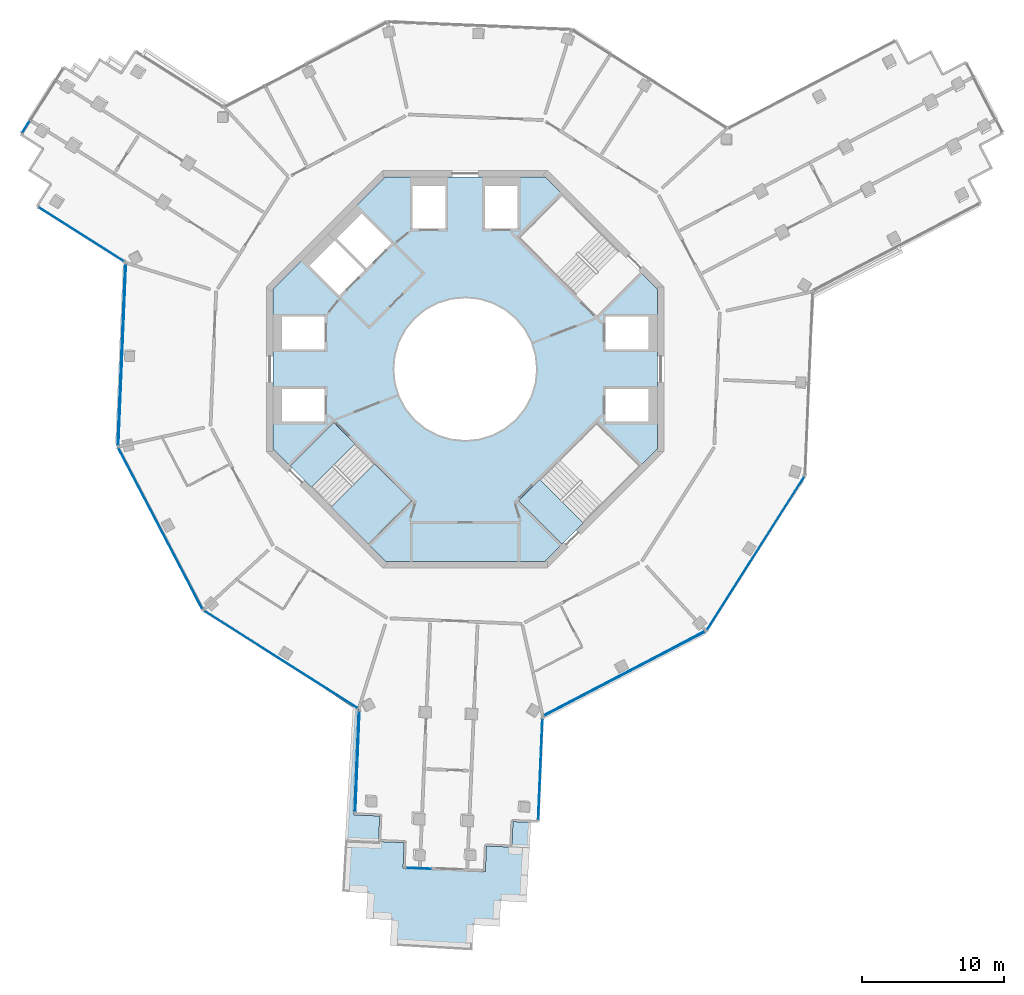
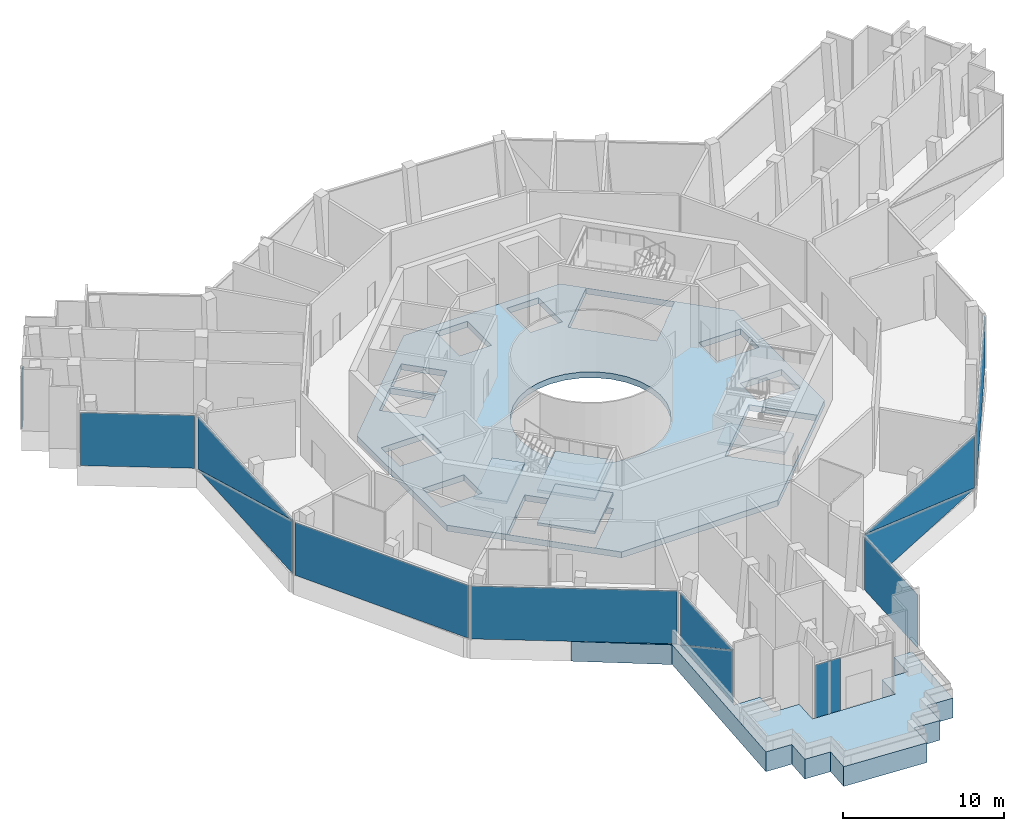
# One storey, part 7 of 21: 13 plates, 6 slabs, 12 elements without a shape of their own.
"""IFC4 building model written with IfcOpenShell, lengths in metres."""

import ifcopenshell
import ifcopenshell.guid

model = None  # the IFC model being written
_history = None  # IfcOwnerHistory: only IFC2X3 demands one
_inside = {}  # id of a spatial element -> (the spatial element, [elements in it])
_under = {}  # id of a project, library or spatial element -> (it, [spatial elements below it])
_declared = {}  # id of a project -> (the project, [libraries it declares])
_typed = {}  # id of a type object -> (the type object, [elements of that type])
_made_of = {}  # id of a material, layer set ... -> (it, [elements and type objects made of it])


def new_model(schema):
    """Start an empty IFC model of exactly this schema.

    Asked for "IFC4X3", IfcOpenShell would pick the latest addendum, in which some entities
    have other attributes; the version numbers below select the first issue.
    IFC2X3 requires an IfcOwnerHistory on every rooted entity: one is made here for all.
    """
    global model, _history
    if schema == "IFC4X3":
        model = ifcopenshell.file(schema_version=(4, 3, 0, 0))
    else:
        model = ifcopenshell.file(schema=schema)
    _inside.clear()
    _under.clear()
    _declared.clear()
    _typed.clear()
    _made_of.clear()
    _history = None
    if model.schema == "IFC2X3":
        org = make("IfcOrganization", Name="unknown")
        user = make(
            "IfcPersonAndOrganization",
            ThePerson=make("IfcPerson", FamilyName="unknown"),
            TheOrganization=org,
        )
        app = make(
            "IfcApplication",
            ApplicationDeveloper=org,
            Version="unknown",
            ApplicationFullName="unknown",
            ApplicationIdentifier="unknown",
        )
        _history = make(
            "IfcOwnerHistory",
            OwningUser=user,
            OwningApplication=app,
            ChangeAction="ADDED",
            CreationDate=0,
        )
    return model


def make(cls, **values):
    """One entity of the class cls with the attributes given. An attribute that is None is left unset."""
    return model.create_entity(
        cls, **{name: value for name, value in values.items() if value is not None}
    )


def rooted(cls, **values):
    """An entity with a GlobalId (a new one), such as an element, a storey or a relation."""
    return make(cls, GlobalId=ifcopenshell.guid.new(), OwnerHistory=_history, **values)


def si_unit(unit_type, name, prefix=None):
    """IfcSIUnit, for example si_unit("LENGTHUNIT", "METRE", prefix="MILLI")."""
    return make("IfcSIUnit", UnitType=unit_type, Prefix=prefix, Name=name)


def assignment(units):
    """IfcUnitAssignment: the units of a project."""
    return None if units is None else make("IfcUnitAssignment", Units=units)


def point(xyz):
    """IfcCartesianPoint."""
    return None if xyz is None else make("IfcCartesianPoint", Coordinates=xyz)


def direction(xyz):
    """IfcDirection."""
    return None if xyz is None else make("IfcDirection", DirectionRatios=xyz)


def frame(location, z_axis=None, x_axis=None):
    """IfcAxis2Placement3D, a coordinate frame: its origin and axes. An axis left out is left unset."""
    return make(
        "IfcAxis2Placement3D",
        Location=point(location),
        Axis=direction(z_axis),
        RefDirection=direction(x_axis),
    )


def frame_2d(location, x_axis=None):
    """IfcAxis2Placement2D, a coordinate frame in the plane: its origin and x axis."""
    return make(
        "IfcAxis2Placement2D", Location=point(location), RefDirection=direction(x_axis)
    )


def origin():
    """The frame at (0, 0, 0) with its axes left unset."""
    return frame((0.0, 0.0, 0.0))


def origin_2d():
    """The frame at (0, 0) in the plane with its x axis left unset."""
    return frame_2d((0.0, 0.0))


def place(relative_to, where):
    """IfcLocalPlacement: puts the frame where relative to a parent placement (None: the world)."""
    return make(
        "IfcLocalPlacement", PlacementRelTo=relative_to, RelativePlacement=where
    )


def context(
    kind, dimensions, precision=None, world=None, true_north=None, identifier=None
):
    """IfcGeometricRepresentationContext, for example the 3D "Model" context."""
    return make(
        "IfcGeometricRepresentationContext",
        ContextIdentifier=identifier,
        ContextType=kind,
        CoordinateSpaceDimension=dimensions,
        Precision=precision,
        WorldCoordinateSystem=world,
        TrueNorth=true_north,
    )


def subcontext(parent, identifier, kind, view, scale=None):
    """IfcGeometricRepresentationSubContext, for example "Body" below "Model"."""
    return make(
        "IfcGeometricRepresentationSubContext",
        ContextIdentifier=identifier,
        ContextType=kind,
        ParentContext=parent,
        TargetScale=scale,
        TargetView=view,
    )


def project(units=None, contexts=None):
    """IfcProject with its units and contexts."""
    return rooted(
        "IfcProject",
        Name="project",
        RepresentationContexts=contexts,
        UnitsInContext=assignment(units),
    )


def spatial(cls, under=None, at=None, **own):
    """A site, building, storey or space (cls), placed at a placement, below another one or the project."""
    s = rooted(cls, ObjectPlacement=at, **own)
    if under is not None:
        _under.setdefault(under.id(), (under, []))[1].append(s)
    return s


def polyline(points):
    """IfcPolyline through the points."""
    return make("IfcPolyline", Points=[point(p) for p in points])


def profile(cls, at=None, kind="AREA", **sizes):
    """A parametric profile (cls). Its sizes go by their IFC names, for example OverallWidth=200.0."""
    return make(cls, ProfileType=kind, Position=at, **sizes)


def rectangle(**sizes):
    """IfcRectangleProfileDef."""
    return profile("IfcRectangleProfileDef", **sizes)


def outline(outer, holes=None, kind="AREA"):
    """IfcArbitraryClosedProfileDef: a profile drawn as a closed curve; with holes, ...WithVoids."""
    if holes is None:
        return make("IfcArbitraryClosedProfileDef", ProfileType=kind, OuterCurve=outer)
    return make(
        "IfcArbitraryProfileDefWithVoids",
        ProfileType=kind,
        OuterCurve=outer,
        InnerCurves=holes,
    )


def extrude(swept, where, along, depth):
    """IfcExtrudedAreaSolid: the profile swept, set in the frame where, extruded along a direction by depth."""
    return make(
        "IfcExtrudedAreaSolid",
        SweptArea=swept,
        Position=where,
        ExtrudedDirection=direction(along),
        Depth=depth,
    )


def shape(context_of_items, identifier, shape_type, items):
    """IfcShapeRepresentation: the items that make up one representation, for example the "Body"."""
    return make(
        "IfcShapeRepresentation",
        ContextOfItems=context_of_items,
        RepresentationIdentifier=identifier,
        RepresentationType=shape_type,
        Items=items,
    )


def material(Name=None, Category=None):
    """IfcMaterial."""
    return make("IfcMaterial", Name=Name, Category=Category)


def layer(
    of_material, thickness, ventilated=None, Name=None, Category=None, Priority=None
):
    """IfcMaterialLayer: one layer of a wall or slab, of a material (None: an air gap)."""
    return make(
        "IfcMaterialLayer",
        Material=of_material,
        LayerThickness=thickness,
        IsVentilated=ventilated,
        Name=Name,
        Category=Category,
        Priority=Priority,
    )


def layer_set(layers, Name=None):
    """IfcMaterialLayerSet."""
    return make("IfcMaterialLayerSet", MaterialLayers=layers, LayerSetName=Name)


def made_of(thing, what):
    """Note that an element or type object is made of a material, layer set ...; save() writes the relation."""
    if what is not None:
        _made_of.setdefault(what.id(), (what, []))[1].append(thing)
    return thing


def type_object(cls, material=None, **own):
    """A type object (cls), such as IfcWallType, which elements share."""
    return made_of(rooted(cls, **own), material)


def element(
    cls,
    number,
    at=None,
    inside=None,
    cuts=None,
    type_object=None,
    material=None,
    context=None,
    identifier="Body",
    shape_type=None,
    held_by="IfcProductDefinitionShape",
    body=None,
    shapes=None,
    **own,
):
    """One element of the class cls, such as IfcWall. Its Tag is "e" and its number.

    at: its placement. inside: the storey or other place that contains it. cuts: it is an
    opening in that element (IfcRelVoidsElement). A single representation is given by context,
    identifier, shape_type and body (its items); several are given by shapes. held_by: the class
    of the entity that holds the representations. save() writes the other relations.
    """
    e = rooted(cls, Tag="e%d" % number, ObjectPlacement=at, **own)
    if body is not None:
        shapes = [shape(context, identifier, shape_type, body)]
    if shapes is not None:
        e.Representation = make(held_by, Representations=shapes)
    if inside is not None:
        _inside.setdefault(inside.id(), (inside, []))[1].append(e)
    if cuts is not None:
        rooted(
            "IfcRelVoidsElement", RelatingBuildingElement=cuts, RelatedOpeningElement=e
        )
    if type_object is not None:
        _typed.setdefault(type_object.id(), (type_object, []))[1].append(e)
    return made_of(e, material)


def aggregate(whole, parts):
    """IfcRelAggregates: a whole, such as a stair, and the parts it consists of."""
    return rooted("IfcRelAggregates", RelatingObject=whole, RelatedObjects=parts)


def save(model, path):
    """Write the relations noted so far, then the file.

    IfcRelAggregates (storeys below a building ...), IfcRelContainedInSpatialStructure (elements
    in a storey), IfcRelDefinesByType, IfcRelAssociatesMaterial and IfcRelDeclares: one each for
    every whole, place, type object, material and project.
    """
    for whole, parts in _under.values():
        aggregate(whole, parts)
    for where, things in _inside.values():
        rooted(
            "IfcRelContainedInSpatialStructure",
            RelatedElements=things,
            RelatingStructure=where,
        )
    for kind, things in _typed.values():
        rooted("IfcRelDefinesByType", RelatedObjects=things, RelatingType=kind)
    for what, things in _made_of.values():
        rooted("IfcRelAssociatesMaterial", RelatedObjects=things, RelatingMaterial=what)
    for by, libraries in _declared.values():
        rooted("IfcRelDeclares", RelatingContext=by, RelatedDefinitions=libraries)
    model.write(path)


model = new_model("IFC4")

# Units and contexts
model_context = context("Model", 3, precision=1e-05, world=origin(), true_north=direction((0.0, 1.0)))
body_context = subcontext(model_context, "Body", "Model", "MODEL_VIEW")
ifc_project = project(units=[si_unit("LENGTHUNIT", "METRE"), si_unit("AREAUNIT", "SQUARE_METRE"), si_unit("VOLUMEUNIT", "CUBIC_METRE"), si_unit("PLANEANGLEUNIT", "RADIAN"), si_unit("MASSUNIT", "GRAM", prefix="KILO")], contexts=[model_context])

# Site, building, storey
site_placement = place(None, origin())
site = spatial("IfcSite", under=ifc_project, at=site_placement, CompositionType="ELEMENT")
building_placement = place(site_placement, origin())
building = spatial("IfcBuilding", under=site, at=building_placement, Name="Verdalira Terraces Hotel", CompositionType="ELEMENT")
storey_placement = place(building_placement, frame((0.0, 0.0, 269.0)))
storey = spatial("IfcBuildingStorey", under=building, at=storey_placement, Name="L66", CompositionType="ELEMENT", Elevation=269.0)

# Curtain wall, plate
ifc_material_1 = material(Name="Clear glass", Category="glass")
ifc_layer_1 = layer(ifc_material_1, 0.239990234375)
ifc_layer_set_1 = layer_set([ifc_layer_1], Name="CW5 curtain wall")
curtain_wall_type = type_object("IfcCurtainWallType", Name="CW5 curtain wall", PredefinedType="NOTDEFINED", material=ifc_layer_set_1)
curtain_wall_1_placement = place(storey_placement, origin())
curtain_wall_1 = element("IfcCurtainWall", 1, at=curtain_wall_1_placement, inside=storey, type_object=curtain_wall_type, Name="CW5 curtain wall L66 edge 5", PredefinedType="NOTDEFINED")
ifc_material_2 = material(Name="Clear glass", Category="glass")
ifc_layer_2 = layer(ifc_material_2, 0.0439453125)
ifc_layer_set_2 = layer_set([ifc_layer_2], Name="CW5 glass unit 44")
plate_type = type_object("IfcPlateType", Name="CW5 glass unit 44", PredefinedType="CURTAIN_PANEL", material=ifc_layer_set_2)
plate_1_placement = place(storey_placement, frame((-30.945801, 17.070801, 0.0), z_axis=(0.0, 0.0, 1.0), x_axis=(-0.535826795, -0.844327926, 0.0)))
plate_1 = element("IfcPlate", 2, at=plate_1_placement, type_object=plate_type, Name="CW5 glass unit", PredefinedType="CURTAIN_PANEL", context=body_context, shape_type="SweptSolid", body=[
    extrude(rectangle(XDim=1.023438, YDim=0.043945, at=origin_2d()), origin(), (0.0, 0.0, 1.0), 4.014893),
])
aggregate(curtain_wall_1, [plate_1])

curtain_wall_2_placement = place(storey_placement, origin())
curtain_wall_2 = element("IfcCurtainWall", 3, at=curtain_wall_2_placement, inside=storey, type_object=curtain_wall_type, Name="CW5 curtain wall L66 edge 10", PredefinedType="NOTDEFINED")
plate_2_placement = place(storey_placement, frame((-27.05127, 9.504395, 0.0), z_axis=(0.0, 0.0, 1.0), x_axis=(0.844327926, -0.535826795, 0.0)))
plate_2 = element("IfcPlate", 4, at=plate_2_placement, type_object=plate_type, Name="CW5 glass unit", PredefinedType="CURTAIN_PANEL", context=body_context, shape_type="SweptSolid", body=[
    extrude(rectangle(XDim=7.10498, YDim=0.043945, at=origin_2d()), origin(), (0.0, 0.0, 1.0), 4.014893),
])
aggregate(curtain_wall_2, [plate_2])

# Curtain wall, plates
curtain_wall_3_placement = place(storey_placement, origin())
curtain_wall_3 = element("IfcCurtainWall", 5, at=curtain_wall_3_placement, inside=storey, type_object=curtain_wall_type, Name="CW5 curtain wall L66 edge 11", PredefinedType="NOTDEFINED")
plate_3_placement = place(storey_placement, frame((-24.185303, 1.007812, 2.007568), z_axis=(-0.99912283, 0.041875654, 0.0), x_axis=(-0.041875654, -0.99912283, 0.0)))
plate_3 = element("IfcPlate", 6, at=plate_3_placement, type_object=plate_type, Name="CW5 glass unit", PredefinedType="CURTAIN_PANEL", context=body_context, shape_type="SweptSolid", body=[
    extrude(outline(polyline([(-6.383789, -2.007324), (6.383789, -2.007324), (6.383789, 2.007324), (-6.383789, -2.007324)])), origin(), (0.0, 0.0, 1.0), 0.043945),
])
plate_4_placement = place(storey_placement, frame((-24.140381, 1.006104, 2.007568), z_axis=(-0.99912283, 0.041875654, 0.0), x_axis=(-0.041875654, -0.99912283, 0.0)))
plate_4 = element("IfcPlate", 7, at=plate_4_placement, type_object=plate_type, Name="CW5 glass unit", PredefinedType="CURTAIN_PANEL", context=body_context, shape_type="SweptSolid", body=[
    extrude(outline(polyline([(-6.383789, -2.007324), (6.383789, 2.007324), (-6.383789, 2.007324), (-6.383789, -2.007324)])), origin(), (0.0, 0.0, 1.0), 0.043945),
])
aggregate(curtain_wall_3, [plate_3, plate_4])

# Curtain wall, plate
curtain_wall_4_placement = place(storey_placement, origin())
curtain_wall_4 = element("IfcCurtainWall", 8, at=curtain_wall_4_placement, inside=storey, type_object=curtain_wall_type, Name="CW5 curtain wall L66 edge 12", PredefinedType="NOTDEFINED")
plate_5_placement = place(storey_placement, frame((-21.471191, -11.224854, 0.0), z_axis=(0.0, 0.0, 1.0), x_axis=(0.463296035, -0.886203579, 0.0)))
plate_5 = element("IfcPlate", 9, at=plate_5_placement, type_object=plate_type, Name="CW5 glass unit", PredefinedType="CURTAIN_PANEL", context=body_context, shape_type="SweptSolid", body=[
    extrude(rectangle(XDim=12.779541, YDim=0.043945, at=origin_2d()), origin(), (0.0, 0.0, 1.0), 4.014893),
])
aggregate(curtain_wall_4, [plate_5])

curtain_wall_5_placement = place(storey_placement, origin())
curtain_wall_5 = element("IfcCurtainWall", 10, at=curtain_wall_5_placement, inside=storey, type_object=curtain_wall_type, Name="CW5 curtain wall L66 edge 13", PredefinedType="NOTDEFINED")
plate_6_placement = place(storey_placement, frame((-12.987061, -20.453613, 0.0), z_axis=(0.0, 0.0, 1.0), x_axis=(0.844327926, -0.535826795, 0.0)))
plate_6 = element("IfcPlate", 11, at=plate_6_placement, type_object=plate_type, Name="CW5 glass unit", PredefinedType="CURTAIN_PANEL", context=body_context, shape_type="SweptSolid", body=[
    extrude(rectangle(XDim=12.767822, YDim=0.043945, at=origin_2d()), origin(), (0.0, 0.0, 1.0), 4.014893),
])
aggregate(curtain_wall_5, [plate_6])

# Curtain wall, plates
curtain_wall_6_placement = place(storey_placement, origin())
curtain_wall_6 = element("IfcCurtainWall", 12, at=curtain_wall_6_placement, inside=storey, type_object=curtain_wall_type, Name="CW5 curtain wall L66 edge 14", PredefinedType="NOTDEFINED")
plate_7_placement = place(storey_placement, frame((-7.612061, -27.638428, 2.007568), z_axis=(-0.99912283, 0.041875654, 0.0), x_axis=(-0.041875654, -0.99912283, 0.0)))
plate_7 = element("IfcPlate", 13, at=plate_7_placement, type_object=plate_type, Name="CW5 glass unit", PredefinedType="CURTAIN_PANEL", context=body_context, shape_type="SweptSolid", body=[
    extrude(outline(polyline([(-3.55249, -2.007324), (3.55249, -2.007324), (3.55249, 2.007324), (-3.55249, -2.007324)])), origin(), (0.0, 0.0, 1.0), 0.043945),
])
plate_8_placement = place(storey_placement, frame((-7.567139, -27.640137, 2.007568), z_axis=(-0.99912283, 0.041875654, 0.0), x_axis=(-0.041875654, -0.99912283, 0.0)))
plate_8 = element("IfcPlate", 14, at=plate_8_placement, type_object=plate_type, Name="CW5 glass unit", PredefinedType="CURTAIN_PANEL", context=body_context, shape_type="SweptSolid", body=[
    extrude(outline(polyline([(-3.55249, -2.007324), (3.55249, 2.007324), (-3.55249, 2.007324), (-3.55249, -2.007324)])), origin(), (0.0, 0.0, 1.0), 0.043945),
])
aggregate(curtain_wall_6, [plate_7, plate_8])

# Curtain wall, plate
curtain_wall_7_placement = place(storey_placement, origin())
curtain_wall_7 = element("IfcCurtainWall", 15, at=curtain_wall_7_placement, inside=storey, type_object=curtain_wall_type, Name="CW5 curtain wall L66 edge 19", PredefinedType="NOTDEFINED")
plate_9_placement = place(storey_placement, frame((-3.285645, -35.168701, 0.0), z_axis=(0.0, 0.0, 1.0), x_axis=(0.99912283, -0.041875654, 0.0)))
plate_9 = element("IfcPlate", 16, at=plate_9_placement, type_object=plate_type, Name="CW5 glass unit", PredefinedType="CURTAIN_PANEL", context=body_context, shape_type="SweptSolid", body=[
    extrude(rectangle(XDim=1.73999, YDim=0.043945, at=origin_2d()), origin(), (0.0, 0.0, 1.0), 4.014893),
])
aggregate(curtain_wall_7, [plate_9])

curtain_wall_8_placement = place(storey_placement, origin())
curtain_wall_8 = element("IfcCurtainWall", 17, at=curtain_wall_8_placement, inside=storey, type_object=curtain_wall_type, Name="CW5 curtain wall L66 edge 24", PredefinedType="NOTDEFINED")
plate_10_placement = place(storey_placement, frame((5.294678, -28.179199, 0.0), z_axis=(0.0, 0.0, 1.0), x_axis=(0.041875654, 0.99912283, 0.0)))
plate_10 = element("IfcPlate", 18, at=plate_10_placement, type_object=plate_type, Name="CW5 glass unit", PredefinedType="CURTAIN_PANEL", context=body_context, shape_type="SweptSolid", body=[
    extrude(rectangle(XDim=7.10498, YDim=0.043945, at=origin_2d()), origin(), (0.0, 0.0, 1.0), 4.014893),
])
aggregate(curtain_wall_8, [plate_10])

# Curtain wall, plates
curtain_wall_9_placement = place(storey_placement, origin())
curtain_wall_9 = element("IfcCurtainWall", 19, at=curtain_wall_9_placement, inside=storey, type_object=curtain_wall_type, Name="CW5 curtain wall L66 edge 25", PredefinedType="NOTDEFINED")
plate_11_placement = place(storey_placement, frame((11.219971, -21.448975, 2.007568), z_axis=(0.463296035, -0.886203579, 0.0), x_axis=(0.886203579, 0.463296035, 0.0)))
plate_11 = element("IfcPlate", 20, at=plate_11_placement, type_object=plate_type, Name="CW5 glass unit", PredefinedType="CURTAIN_PANEL", context=body_context, shape_type="SweptSolid", body=[
    extrude(outline(polyline([(-6.383789, -2.007324), (6.383789, -2.007324), (-6.383789, 2.007324), (-6.383789, -2.007324)])), origin(), (0.0, 0.0, 1.0), 0.043945),
])
plate_12_placement = place(storey_placement, frame((11.199219, -21.40918, 2.007568), z_axis=(0.463296035, -0.886203579, 0.0), x_axis=(0.886203579, 0.463296035, 0.0)))
plate_12 = element("IfcPlate", 21, at=plate_12_placement, type_object=plate_type, Name="CW5 glass unit", PredefinedType="CURTAIN_PANEL", context=body_context, shape_type="SweptSolid", body=[
    extrude(outline(polyline([(6.383789, -2.007324), (6.383789, 2.007324), (-6.383789, 2.007324), (6.383789, -2.007324)])), origin(), (0.0, 0.0, 1.0), 0.043945),
])
aggregate(curtain_wall_9, [plate_11, plate_12])

# Curtain wall, plate
curtain_wall_10_placement = place(storey_placement, origin())
curtain_wall_10 = element("IfcCurtainWall", 22, at=curtain_wall_10_placement, inside=storey, type_object=curtain_wall_type, Name="CW5 curtain wall L66 edge 26", PredefinedType="NOTDEFINED")
plate_13_placement = place(storey_placement, frame((20.456543, -12.982178, 0.0), z_axis=(0.0, 0.0, 1.0), x_axis=(0.535826795, 0.844327926, 0.0)))
plate_13 = element("IfcPlate", 23, at=plate_13_placement, type_object=plate_type, Name="CW5 glass unit", PredefinedType="CURTAIN_PANEL", context=body_context, shape_type="SweptSolid", body=[
    extrude(rectangle(XDim=12.779541, YDim=0.043945, at=origin_2d()), origin(), (0.0, 0.0, 1.0), 4.014893),
])
aggregate(curtain_wall_10, [plate_13])

# Slab
ifc_material_3 = material(Name="Concrete C40", Category="concrete")
ifc_layer_3 = layer(ifc_material_3, 0.449951171875)
ifc_layer_set_3 = layer_set([ifc_layer_3], Name="Core floor slab 450 mm")
slab_type_1 = type_object("IfcSlabType", Name="Core floor slab 450 mm", PredefinedType="FLOOR", material=ifc_layer_set_3)
slab_1_placement = place(storey_placement, frame((0.0, 0.0, -0.449951)))
element("IfcSlab", 24, at=slab_1_placement, inside=storey, type_object=slab_type_1, Name="L66 core floor", PredefinedType="FLOOR", context=body_context, shape_type="SweptSolid", body=[
    extrude(outline(polyline([(-13.550049, -5.612549), (-13.550049, 5.612549), (-5.612549, 13.550049), (5.612549, 13.550049), (13.550049, 5.612549), (13.550049, -5.612549), (5.612549, -13.550049), (-5.612549, -13.550049), (-13.550049, -5.612549)]), holes=[polyline([(9.899902, -1.399902), (9.899902, -3.699951), (12.899902, -3.699951), (12.899902, -1.399902), (9.899902, -1.399902)]), polyline([(9.899902, 3.699951), (9.899902, 1.399902), (12.899902, 1.399902), (12.899902, 3.699951), (9.899902, 3.699951)]), polyline([(3.699951, 12.899902), (1.399902, 12.899902), (1.399902, 9.899902), (3.699951, 9.899902), (3.699951, 12.899902)]), polyline([(-1.399902, 12.899902), (-3.699951, 12.899902), (-3.699951, 9.899902), (-1.399902, 9.899902), (-1.399902, 12.899902)]), polyline([(-9.899902, 1.399902), (-9.899902, 3.699951), (-12.899902, 3.699951), (-12.899902, 1.399902), (-9.899902, 1.399902)]), polyline([(-9.899902, -3.699951), (-9.899902, -1.399902), (-12.899902, -1.399902), (-12.899902, -3.699951), (-9.899902, -3.699951)]), polyline([(-9.051025, 9.192383), (-6.965088, 7.106445), (-5.197266, 8.874268), (-7.283203, 10.960205), (-9.051025, 9.192383)]), polyline([(-9.192383, 9.051025), (-10.960205, 7.283203), (-8.874268, 5.197266), (-7.106445, 6.965088), (-9.192383, 9.051025)]), polyline([(3.5354, 3.5354), (2.777832, 4.157227), (1.91333, 4.619385), (0.975586, 4.903809), (0.0, 5.0), (-0.975586, 4.903809), (-1.91333, 4.619385), (-2.777832, 4.157227), (-3.5354, 3.5354), (-4.157227, 2.777832), (-4.619385, 1.91333), (-4.903809, 0.975586), (-5.0, 0.0), (-4.903809, -0.975586), (-4.619385, -1.91333), (-4.157227, -2.777832), (-3.5354, -3.5354), (-2.777832, -4.157227), (-1.91333, -4.619385), (-0.975586, -4.903809), (0.0, -5.0), (0.975586, -4.903809), (1.91333, -4.619385), (2.777832, -4.157227), (3.5354, -3.5354), (4.157227, -2.777832), (4.619385, -1.91333), (4.903809, -0.975586), (5.0, 0.0), (4.903809, 0.975586), (4.619385, 1.91333), (4.157227, 2.777832), (3.5354, 3.5354)]), polyline([(6.788086, 12.331787), (5.253906, 10.797607), (5.253906, 10.797607), (3.684082, 9.227783), (7.728271, 5.18335), (9.298096, 6.753174), (9.280518, 6.770996), (10.814697, 8.30542), (6.788086, 12.331787)]), polyline([(-5.253906, -10.797607), (-3.684082, -9.227783), (-7.728271, -5.18335), (-9.298096, -6.753174), (-9.280518, -6.770996), (-10.814697, -8.30542), (-6.788086, -12.331787), (-5.253906, -10.797607), (-5.253906, -10.797607)]), polyline([(10.797607, -5.253906), (10.797607, -5.253906), (9.227783, -3.684082), (5.18335, -7.728271), (6.753174, -9.298096), (6.770996, -9.280518), (8.30542, -10.814697), (12.331787, -6.788086), (10.797607, -5.253906)])]), origin(), (0.0, 0.0, 1.0), 0.449951),
])

# Stair, slabs
ifc_material_4 = material(Name="Concrete C40", Category="concrete")
stair_type = type_object("IfcStairType", Name="Core stair 32 risers 2125 mm wide", PredefinedType="HALF_TURN_STAIR", material=ifc_material_4)
stair_1_placement = place(storey_placement, origin())
stair_1 = element("IfcStair", 25, at=stair_1_placement, inside=storey, type_object=stair_type, Name="L66 Exit stair ST2", PredefinedType="HALF_TURN_STAIR")
ifc_material_5 = material(Name="Concrete C40", Category="concrete")
ifc_layer_4 = layer(ifc_material_5, 0.199951171875)
ifc_layer_set_4 = layer_set([ifc_layer_4], Name="Core stair landing 200 mm")
slab_type_2 = type_object("IfcSlabType", Name="Core stair landing 200 mm", PredefinedType="LANDING", material=ifc_layer_set_4)
slab_2_placement = place(storey_placement, frame((0.0, 0.0, 1.050049)))
slab_2 = element("IfcSlab", 26, at=slab_2_placement, type_object=slab_type_2, Name="ST2 landing 1", PredefinedType="LANDING", context=body_context, shape_type="SweptSolid", body=[
    extrude(outline(polyline([(-9.450928, -9.71167), (-6.823486, -12.339111), (-3.747559, -9.263184), (-6.375, -6.635742), (-9.450928, -9.71167)])), origin(), (0.0, 0.0, 1.0), 0.199951),
])
slab_3_placement = place(storey_placement, frame((0.0, 0.0, 2.300049)))
slab_3 = element("IfcSlab", 27, at=slab_3_placement, type_object=slab_type_2, Name="ST2 landing 2", PredefinedType="LANDING", context=body_context, shape_type="SweptSolid", body=[
    extrude(outline(polyline([(-12.339111, -6.823486), (-10.835938, -8.326416), (-7.760254, -5.250732), (-9.263184, -3.747559), (-12.339111, -6.823486)])), origin(), (0.0, 0.0, 1.0), 0.199951),
])
slab_4_placement = place(storey_placement, frame((0.0, 0.0, 3.550049)))
slab_4 = element("IfcSlab", 28, at=slab_4_placement, type_object=slab_type_2, Name="ST2 landing 3", PredefinedType="LANDING", context=body_context, shape_type="SweptSolid", body=[
    extrude(outline(polyline([(-9.450928, -9.71167), (-6.823486, -12.339111), (-3.747559, -9.263184), (-6.375, -6.635742), (-9.450928, -9.71167)])), origin(), (0.0, 0.0, 1.0), 0.199951),
])
aggregate(stair_1, [slab_2, slab_3, slab_4])

# Stair, slab
stair_2_placement = place(storey_placement, origin())
stair_2 = element("IfcStair", 29, at=stair_2_placement, inside=storey, type_object=stair_type, Name="L66 Exit stair ST3", PredefinedType="HALF_TURN_STAIR")
slab_5_placement = place(storey_placement, frame((0.0, 0.0, 2.300049)))
slab_5 = element("IfcSlab", 30, at=slab_5_placement, type_object=slab_type_2, Name="ST3 landing 2", PredefinedType="LANDING", context=body_context, shape_type="SweptSolid", body=[
    extrude(outline(polyline([(6.823486, -12.339111), (8.326416, -10.835938), (5.250732, -7.760254), (3.747559, -9.263184), (6.823486, -12.339111)])), origin(), (0.0, 0.0, 1.0), 0.199951),
])
aggregate(stair_2, [slab_5])

# Slab
ifc_material_6 = material(Name="Concrete C60", Category="concrete")
ifc_layer_5 = layer(ifc_material_6, 1.5)
ifc_layer_set_5 = layer_set([ifc_layer_5], Name="Sky garden floor deck 1500 C60")
slab_type_3 = type_object("IfcSlabType", Name="Sky garden floor deck 1500 C60", PredefinedType="FLOOR", material=ifc_layer_set_5)
slab_6_placement = place(storey_placement, frame((0.0, 0.0, -1.5)))
element("IfcSlab", 31, at=slab_6_placement, inside=storey, type_object=slab_type_3, Name="Sky garden deck L66", PredefinedType="FLOOR", context=body_context, shape_type="SweptSolid", body=[
    extrude(outline(polyline([(4.305908, -37.560303), (4.636719, -31.92749), (3.368164, -31.874512), (3.292725, -33.672852), (1.494385, -33.597412), (1.418945, -35.395996), (-4.375977, -35.153076), (-4.300537, -33.354492), (-6.098877, -33.279297), (-6.023682, -31.480713), (-7.822021, -31.405518), (-7.51001, -23.964844), (-13.169922, -20.373047), (-7.910645, -23.835693), (-8.671631, -36.798096), (-6.874756, -36.903809), (-6.980225, -38.700684), (-5.18335, -38.806152), (-5.288818, -40.603027), (0.501221, -40.943115), (0.606689, -39.145996), (2.403564, -39.251709), (2.509033, -37.45459), (4.305908, -37.560303)])), origin(), (0.0, 0.0, 1.0), 1.5),
])

save(model, "model.ifc")
